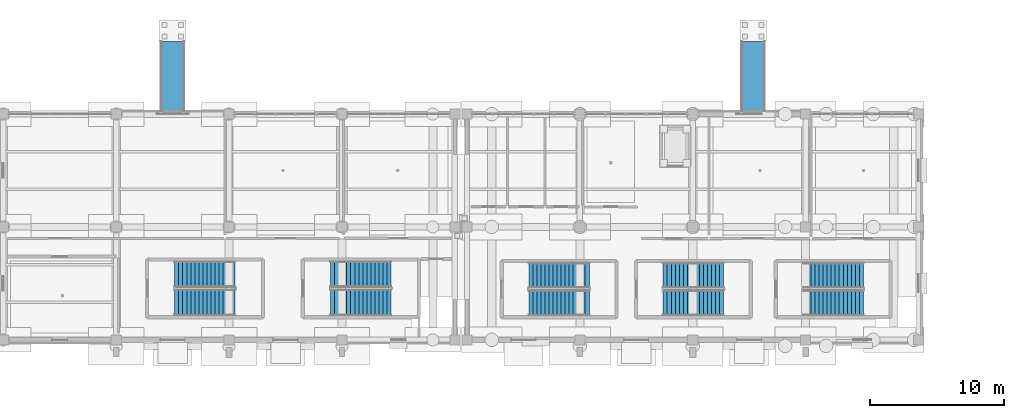
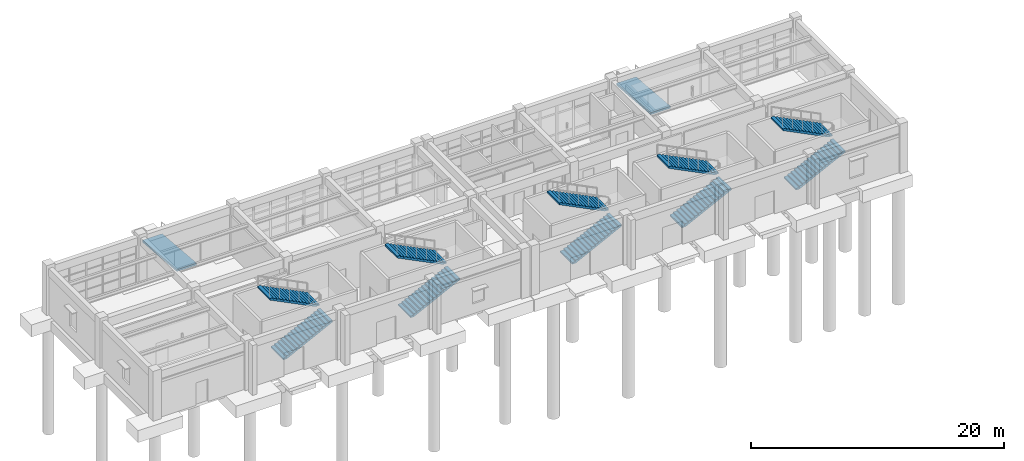
# One storey, part 20 of 29: 10 stair flights, 2 ramp flights, 7 elements without a shape of their own.
"""IFC4 building model written with IfcOpenShell, lengths in metres."""

from ifc_helpers import new_model, si_unit, direction, frame, origin, place, context, subcontext, project, spatial, polyline, outline, extrude, material, layer, layer_set, type_object, element, aggregate, save


model = new_model("IFC4")

# Units and contexts
model_context = context("Model", 3, precision=1e-05, world=origin(), true_north=direction((0.0, 1.0)))
body_context = subcontext(model_context, "Body", "Model", "MODEL_VIEW")
ifc_project = project(units=[si_unit("LENGTHUNIT", "METRE"), si_unit("AREAUNIT", "SQUARE_METRE"), si_unit("VOLUMEUNIT", "CUBIC_METRE"), si_unit("PLANEANGLEUNIT", "RADIAN"), si_unit("MASSUNIT", "GRAM", prefix="KILO")], contexts=[model_context])

# Site, building, storey
site_placement = place(None, origin())
site = spatial("IfcSite", under=ifc_project, at=site_placement, CompositionType="ELEMENT")
building_placement = place(site_placement, origin())
building = spatial("IfcBuilding", under=site, at=building_placement, Name="Canglan Escarpment Cableway Terminal", CompositionType="ELEMENT")
storey_placement = place(building_placement, origin())
storey = spatial("IfcBuildingStorey", under=building, at=storey_placement, Name="L00", CompositionType="ELEMENT", Elevation=0.0)

# Stair, stair flights
ifc_material_1 = material(Name="Concrete C40", Category="concrete")
stair_type_1 = type_object("IfcStairType", Name="STR-DOGLEG-1900", PredefinedType="HALF_TURN_STAIR", material=ifc_material_1)
stair_1_placement = place(storey_placement, origin())
stair_1 = element("IfcStair", 1, at=stair_1_placement, inside=storey, type_object=stair_type_1, Name="L00 Protected Exit Stair ST-03", PredefinedType="HALF_TURN_STAIR")
ifc_layer_1 = layer(ifc_material_1, 0.14990234375, Name="Concrete C40")
ifc_layer_set_1 = layer_set([ifc_layer_1], Name="Concrete C40")
stair_flight_type_1 = type_object("IfcStairFlightType", Name="SFL-STRAIGHT-1900", PredefinedType="STRAIGHT", material=ifc_layer_set_1)
stair_flight_1_placement = place(storey_placement, frame((47.10009765625, 10.75, 0.0), z_axis=(0.0, 0.0, 1.0), x_axis=(1.0, 0.0, 0.0)))
stair_flight_1 = element("IfcStairFlight", 2, at=stair_flight_1_placement, type_object=stair_flight_type_1, Name="ST-03 flight 1", NumberOfRisers=16, NumberOfTreads=15, PredefinedType="STRAIGHT", RiserHeight=0.15, TreadLength=0.3, context=body_context, shape_type="SweptSolid", body=[
    extrude(outline(polyline([(0.0, 0.0), (0.0, 0.14990234375), (0.300048828125, 0.14990234375), (0.300048828125, 0.300048828125), (0.60009765625, 0.300048828125), (0.60009765625, 0.449951171875), (0.89990234375, 0.449951171875), (0.89990234375, 0.60009765625), (1.199951171875, 0.60009765625), (1.199951171875, 0.75), (1.5, 0.75), (1.5, 0.89990234375), (1.800048828125, 0.89990234375), (1.800048828125, 1.050048828125), (2.10009765625, 1.050048828125), (2.10009765625, 1.199951171875), (2.39990234375, 1.199951171875), (2.39990234375, 1.35009765625), (2.699951171875, 1.35009765625), (2.699951171875, 1.5), (3.0, 1.5), (3.0, 1.64990234375), (3.300048828125, 1.64990234375), (3.300048828125, 1.800048828125), (3.60009765625, 1.800048828125), (3.60009765625, 1.949951171875), (3.89990234375, 1.949951171875), (3.89990234375, 2.10009765625), (4.199951171875, 2.10009765625), (4.199951171875, 2.25), (4.5, 2.25), (4.5, 2.39990234375), (4.5, 2.08251953125), (0.335205078125, 0.0), (0.0, 0.0)])), frame((0.0, 0.949951171875, 0.0), z_axis=(0.0, -1.0, 0.0), x_axis=(1.0, 0.0, 0.0)), (0.0, 0.0, 1.0), 1.89990234375),
])
stair_flight_2_placement = place(storey_placement, frame((51.60009765625, 12.800048828125, 2.39990234375), z_axis=(0.0, 0.0, 1.0), x_axis=(-1.0, 0.0, 0.0)))
stair_flight_2 = element("IfcStairFlight", 3, at=stair_flight_2_placement, type_object=stair_flight_type_1, Name="ST-03 flight 2", NumberOfRisers=16, NumberOfTreads=15, PredefinedType="STRAIGHT", RiserHeight=0.15, TreadLength=0.3, context=body_context, shape_type="SweptSolid", body=[
    extrude(outline(polyline([(0.0, 0.0), (0.0, 0.14990234375), (0.300048828125, 0.14990234375), (0.300048828125, 0.300048828125), (0.60009765625, 0.300048828125), (0.60009765625, 0.449951171875), (0.89990234375, 0.449951171875), (0.89990234375, 0.60009765625), (1.199951171875, 0.60009765625), (1.199951171875, 0.75), (1.5, 0.75), (1.5, 0.89990234375), (1.800048828125, 0.89990234375), (1.800048828125, 1.050048828125), (2.10009765625, 1.050048828125), (2.10009765625, 1.199951171875), (2.39990234375, 1.199951171875), (2.39990234375, 1.35009765625), (2.699951171875, 1.35009765625), (2.699951171875, 1.5), (3.0, 1.5), (3.0, 1.64990234375), (3.300048828125, 1.64990234375), (3.300048828125, 1.800048828125), (3.60009765625, 1.800048828125), (3.60009765625, 1.949951171875), (3.89990234375, 1.949951171875), (3.89990234375, 2.10009765625), (4.199951171875, 2.10009765625), (4.199951171875, 2.25), (4.5, 2.25), (4.5, 2.39990234375), (4.5, 2.08251953125), (0.335205078125, 0.0), (0.0, 0.0)])), frame((0.0, 0.949951171875, 0.0), z_axis=(0.0, -1.0, 0.0), x_axis=(1.0, 0.0, 0.0)), (0.0, 0.0, 1.0), 1.89990234375),
])
aggregate(stair_1, [stair_flight_1, stair_flight_2])

stair_2_placement = place(storey_placement, origin())
stair_2 = element("IfcStair", 4, at=stair_2_placement, inside=storey, type_object=stair_type_1, Name="L00 Protected Exit Stair ST-04", PredefinedType="HALF_TURN_STAIR")
stair_flight_3_placement = place(storey_placement, frame((57.10009765625, 10.75, 0.0), z_axis=(0.0, 0.0, 1.0), x_axis=(1.0, 0.0, 0.0)))
stair_flight_3 = element("IfcStairFlight", 5, at=stair_flight_3_placement, type_object=stair_flight_type_1, Name="ST-04 flight 1", NumberOfRisers=16, NumberOfTreads=15, PredefinedType="STRAIGHT", RiserHeight=0.15, TreadLength=0.3, context=body_context, shape_type="SweptSolid", body=[
    extrude(outline(polyline([(0.0, 0.0), (0.0, 0.14990234375), (0.300048828125, 0.14990234375), (0.300048828125, 0.300048828125), (0.60009765625, 0.300048828125), (0.60009765625, 0.449951171875), (0.89990234375, 0.449951171875), (0.89990234375, 0.60009765625), (1.199951171875, 0.60009765625), (1.199951171875, 0.75), (1.5, 0.75), (1.5, 0.89990234375), (1.800048828125, 0.89990234375), (1.800048828125, 1.050048828125), (2.10009765625, 1.050048828125), (2.10009765625, 1.199951171875), (2.39990234375, 1.199951171875), (2.39990234375, 1.35009765625), (2.699951171875, 1.35009765625), (2.699951171875, 1.5), (3.0, 1.5), (3.0, 1.64990234375), (3.300048828125, 1.64990234375), (3.300048828125, 1.800048828125), (3.60009765625, 1.800048828125), (3.60009765625, 1.949951171875), (3.89990234375, 1.949951171875), (3.89990234375, 2.10009765625), (4.199951171875, 2.10009765625), (4.199951171875, 2.25), (4.5, 2.25), (4.5, 2.39990234375), (4.5, 2.08251953125), (0.335205078125, 0.0), (0.0, 0.0)])), frame((0.0, 0.949951171875, 0.0), z_axis=(0.0, -1.0, 0.0), x_axis=(1.0, 0.0, 0.0)), (0.0, 0.0, 1.0), 1.89990234375),
])
stair_flight_4_placement = place(storey_placement, frame((61.60009765625, 12.800048828125, 2.39990234375), z_axis=(0.0, 0.0, 1.0), x_axis=(-1.0, 0.0, 0.0)))
stair_flight_4 = element("IfcStairFlight", 6, at=stair_flight_4_placement, type_object=stair_flight_type_1, Name="ST-04 flight 2", NumberOfRisers=16, NumberOfTreads=15, PredefinedType="STRAIGHT", RiserHeight=0.15, TreadLength=0.3, context=body_context, shape_type="SweptSolid", body=[
    extrude(outline(polyline([(0.0, 0.0), (0.0, 0.14990234375), (0.300048828125, 0.14990234375), (0.300048828125, 0.300048828125), (0.60009765625, 0.300048828125), (0.60009765625, 0.449951171875), (0.89990234375, 0.449951171875), (0.89990234375, 0.60009765625), (1.199951171875, 0.60009765625), (1.199951171875, 0.75), (1.5, 0.75), (1.5, 0.89990234375), (1.800048828125, 0.89990234375), (1.800048828125, 1.050048828125), (2.10009765625, 1.050048828125), (2.10009765625, 1.199951171875), (2.39990234375, 1.199951171875), (2.39990234375, 1.35009765625), (2.699951171875, 1.35009765625), (2.699951171875, 1.5), (3.0, 1.5), (3.0, 1.64990234375), (3.300048828125, 1.64990234375), (3.300048828125, 1.800048828125), (3.60009765625, 1.800048828125), (3.60009765625, 1.949951171875), (3.89990234375, 1.949951171875), (3.89990234375, 2.10009765625), (4.199951171875, 2.10009765625), (4.199951171875, 2.25), (4.5, 2.25), (4.5, 2.39990234375), (4.5, 2.08251953125), (0.335205078125, 0.0), (0.0, 0.0)])), frame((0.0, 0.949951171875, 0.0), z_axis=(0.0, -1.0, 0.0), x_axis=(1.0, 0.0, 0.0)), (0.0, 0.0, 1.0), 1.89990234375),
])
aggregate(stair_2, [stair_flight_3, stair_flight_4])

stair_3_placement = place(storey_placement, origin())
stair_3 = element("IfcStair", 7, at=stair_3_placement, inside=storey, type_object=stair_type_1, Name="L00 Protected Exit Stair ST-05", PredefinedType="HALF_TURN_STAIR")
stair_flight_5_placement = place(storey_placement, frame((67.5, 10.75, 0.0), z_axis=(0.0, 0.0, 1.0), x_axis=(1.0, 0.0, 0.0)))
stair_flight_5 = element("IfcStairFlight", 8, at=stair_flight_5_placement, type_object=stair_flight_type_1, Name="ST-05 flight 1", NumberOfRisers=16, NumberOfTreads=15, PredefinedType="STRAIGHT", RiserHeight=0.15, TreadLength=0.3, context=body_context, shape_type="SweptSolid", body=[
    extrude(outline(polyline([(0.0, 0.0), (0.0, 0.14990234375), (0.300048828125, 0.14990234375), (0.300048828125, 0.300048828125), (0.60009765625, 0.300048828125), (0.60009765625, 0.449951171875), (0.89990234375, 0.449951171875), (0.89990234375, 0.60009765625), (1.199951171875, 0.60009765625), (1.199951171875, 0.75), (1.5, 0.75), (1.5, 0.89990234375), (1.800048828125, 0.89990234375), (1.800048828125, 1.050048828125), (2.10009765625, 1.050048828125), (2.10009765625, 1.199951171875), (2.39990234375, 1.199951171875), (2.39990234375, 1.35009765625), (2.699951171875, 1.35009765625), (2.699951171875, 1.5), (3.0, 1.5), (3.0, 1.64990234375), (3.300048828125, 1.64990234375), (3.300048828125, 1.800048828125), (3.60009765625, 1.800048828125), (3.60009765625, 1.949951171875), (3.89990234375, 1.949951171875), (3.89990234375, 2.10009765625), (4.199951171875, 2.10009765625), (4.199951171875, 2.25), (4.5, 2.25), (4.5, 2.39990234375), (4.5, 2.08251953125), (0.335205078125, 0.0), (0.0, 0.0)])), frame((0.0, 0.949951171875, 0.0), z_axis=(0.0, -1.0, 0.0), x_axis=(1.0, 0.0, 0.0)), (0.0, 0.0, 1.0), 1.89990234375),
])
stair_flight_6_placement = place(storey_placement, frame((72.0, 12.800048828125, 2.39990234375), z_axis=(0.0, 0.0, 1.0), x_axis=(-1.0, 0.0, 0.0)))
stair_flight_6 = element("IfcStairFlight", 9, at=stair_flight_6_placement, type_object=stair_flight_type_1, Name="ST-05 flight 2", NumberOfRisers=16, NumberOfTreads=15, PredefinedType="STRAIGHT", RiserHeight=0.15, TreadLength=0.3, context=body_context, shape_type="SweptSolid", body=[
    extrude(outline(polyline([(0.0, 0.0), (0.0, 0.14990234375), (0.300048828125, 0.14990234375), (0.300048828125, 0.300048828125), (0.60009765625, 0.300048828125), (0.60009765625, 0.449951171875), (0.89990234375, 0.449951171875), (0.89990234375, 0.60009765625), (1.199951171875, 0.60009765625), (1.199951171875, 0.75), (1.5, 0.75), (1.5, 0.89990234375), (1.800048828125, 0.89990234375), (1.800048828125, 1.050048828125), (2.10009765625, 1.050048828125), (2.10009765625, 1.199951171875), (2.39990234375, 1.199951171875), (2.39990234375, 1.35009765625), (2.699951171875, 1.35009765625), (2.699951171875, 1.5), (3.0, 1.5), (3.0, 1.64990234375), (3.300048828125, 1.64990234375), (3.300048828125, 1.800048828125), (3.60009765625, 1.800048828125), (3.60009765625, 1.949951171875), (3.89990234375, 1.949951171875), (3.89990234375, 2.10009765625), (4.199951171875, 2.10009765625), (4.199951171875, 2.25), (4.5, 2.25), (4.5, 2.39990234375), (4.5, 2.08251953125), (0.335205078125, 0.0), (0.0, 0.0)])), frame((0.0, 0.949951171875, 0.0), z_axis=(0.0, -1.0, 0.0), x_axis=(1.0, 0.0, 0.0)), (0.0, 0.0, 1.0), 1.89990234375),
])
aggregate(stair_3, [stair_flight_5, stair_flight_6])

stair_type_2 = type_object("IfcStairType", Name="STR-DOGLEG-1950", PredefinedType="HALF_TURN_STAIR", material=ifc_material_1)
stair_4_placement = place(storey_placement, origin())
stair_4 = element("IfcStair", 10, at=stair_4_placement, inside=storey, type_object=stair_type_2, Name="L00 Protected Exit Stair ST-01", PredefinedType="HALF_TURN_STAIR")
ifc_layer_2 = layer(ifc_material_1, 0.14990234375, Name="Concrete C40")
ifc_layer_set_2 = layer_set([ifc_layer_2], Name="Concrete C40")
stair_flight_type_2 = type_object("IfcStairFlightType", Name="SFL-STRAIGHT-1950", PredefinedType="STRAIGHT", material=ifc_layer_set_2)
stair_flight_7_placement = place(storey_placement, frame((20.75, 10.77490234375, 0.0), z_axis=(0.0, 0.0, 1.0), x_axis=(1.0, 0.0, 0.0)))
stair_flight_7 = element("IfcStairFlight", 11, at=stair_flight_7_placement, type_object=stair_flight_type_2, Name="ST-01 flight 1", NumberOfRisers=16, NumberOfTreads=15, PredefinedType="STRAIGHT", RiserHeight=0.15, TreadLength=0.3, context=body_context, shape_type="SweptSolid", body=[
    extrude(outline(polyline([(0.0, 0.0), (0.0, 0.14990234375), (0.300048828125, 0.14990234375), (0.300048828125, 0.300048828125), (0.60009765625, 0.300048828125), (0.60009765625, 0.449951171875), (0.89990234375, 0.449951171875), (0.89990234375, 0.60009765625), (1.199951171875, 0.60009765625), (1.199951171875, 0.75), (1.5, 0.75), (1.5, 0.89990234375), (1.800048828125, 0.89990234375), (1.800048828125, 1.050048828125), (2.10009765625, 1.050048828125), (2.10009765625, 1.199951171875), (2.39990234375, 1.199951171875), (2.39990234375, 1.35009765625), (2.699951171875, 1.35009765625), (2.699951171875, 1.5), (3.0, 1.5), (3.0, 1.64990234375), (3.300048828125, 1.64990234375), (3.300048828125, 1.800048828125), (3.60009765625, 1.800048828125), (3.60009765625, 1.949951171875), (3.89990234375, 1.949951171875), (3.89990234375, 2.10009765625), (4.199951171875, 2.10009765625), (4.199951171875, 2.25), (4.5, 2.25), (4.5, 2.39990234375), (4.5, 2.08251953125), (0.335205078125, 0.0), (0.0, 0.0)])), frame((0.0, 0.97509765625, 0.0), z_axis=(0.0, -1.0, 0.0), x_axis=(1.0, 0.0, 0.0)), (0.0, 0.0, 1.0), 1.949951171875),
])
stair_flight_8_placement = place(storey_placement, frame((25.25, 12.875, 2.39990234375), z_axis=(0.0, 0.0, 1.0), x_axis=(-1.0, 0.0, 0.0)))
stair_flight_8 = element("IfcStairFlight", 12, at=stair_flight_8_placement, type_object=stair_flight_type_2, Name="ST-01 flight 2", NumberOfRisers=16, NumberOfTreads=15, PredefinedType="STRAIGHT", RiserHeight=0.15, TreadLength=0.3, context=body_context, shape_type="SweptSolid", body=[
    extrude(outline(polyline([(0.0, 0.0), (0.0, 0.14990234375), (0.300048828125, 0.14990234375), (0.300048828125, 0.300048828125), (0.60009765625, 0.300048828125), (0.60009765625, 0.449951171875), (0.89990234375, 0.449951171875), (0.89990234375, 0.60009765625), (1.199951171875, 0.60009765625), (1.199951171875, 0.75), (1.5, 0.75), (1.5, 0.89990234375), (1.800048828125, 0.89990234375), (1.800048828125, 1.050048828125), (2.10009765625, 1.050048828125), (2.10009765625, 1.199951171875), (2.39990234375, 1.199951171875), (2.39990234375, 1.35009765625), (2.699951171875, 1.35009765625), (2.699951171875, 1.5), (3.0, 1.5), (3.0, 1.64990234375), (3.300048828125, 1.64990234375), (3.300048828125, 1.800048828125), (3.60009765625, 1.800048828125), (3.60009765625, 1.949951171875), (3.89990234375, 1.949951171875), (3.89990234375, 2.10009765625), (4.199951171875, 2.10009765625), (4.199951171875, 2.25), (4.5, 2.25), (4.5, 2.39990234375), (4.5, 2.08251953125), (0.335205078125, 0.0), (0.0, 0.0)])), frame((0.0, 0.97509765625, 0.0), z_axis=(0.0, -1.0, 0.0), x_axis=(1.0, 0.0, 0.0)), (0.0, 0.0, 1.0), 1.949951171875),
])
aggregate(stair_4, [stair_flight_7, stair_flight_8])

stair_5_placement = place(storey_placement, origin())
stair_5 = element("IfcStair", 13, at=stair_5_placement, inside=storey, type_object=stair_type_2, Name="L00 Protected Exit Stair ST-02", PredefinedType="HALF_TURN_STAIR")
stair_flight_9_placement = place(storey_placement, frame((32.35009765625, 10.77490234375, 0.0), z_axis=(0.0, 0.0, 1.0), x_axis=(1.0, 0.0, 0.0)))
stair_flight_9 = element("IfcStairFlight", 14, at=stair_flight_9_placement, type_object=stair_flight_type_2, Name="ST-02 flight 1", NumberOfRisers=16, NumberOfTreads=15, PredefinedType="STRAIGHT", RiserHeight=0.15, TreadLength=0.3, context=body_context, shape_type="SweptSolid", body=[
    extrude(outline(polyline([(0.0, 0.0), (0.0, 0.14990234375), (0.300048828125, 0.14990234375), (0.300048828125, 0.300048828125), (0.60009765625, 0.300048828125), (0.60009765625, 0.449951171875), (0.89990234375, 0.449951171875), (0.89990234375, 0.60009765625), (1.199951171875, 0.60009765625), (1.199951171875, 0.75), (1.5, 0.75), (1.5, 0.89990234375), (1.800048828125, 0.89990234375), (1.800048828125, 1.050048828125), (2.10009765625, 1.050048828125), (2.10009765625, 1.199951171875), (2.39990234375, 1.199951171875), (2.39990234375, 1.35009765625), (2.699951171875, 1.35009765625), (2.699951171875, 1.5), (3.0, 1.5), (3.0, 1.64990234375), (3.300048828125, 1.64990234375), (3.300048828125, 1.800048828125), (3.60009765625, 1.800048828125), (3.60009765625, 1.949951171875), (3.89990234375, 1.949951171875), (3.89990234375, 2.10009765625), (4.199951171875, 2.10009765625), (4.199951171875, 2.25), (4.5, 2.25), (4.5, 2.39990234375), (4.5, 2.08251953125), (0.335205078125, 0.0), (0.0, 0.0)])), frame((0.0, 0.97509765625, 0.0), z_axis=(0.0, -1.0, 0.0), x_axis=(1.0, 0.0, 0.0)), (0.0, 0.0, 1.0), 1.949951171875),
])
stair_flight_10_placement = place(storey_placement, frame((36.85009765625, 12.875, 2.39990234375), z_axis=(0.0, 0.0, 1.0), x_axis=(-1.0, 0.0, 0.0)))
stair_flight_10 = element("IfcStairFlight", 15, at=stair_flight_10_placement, type_object=stair_flight_type_2, Name="ST-02 flight 2", NumberOfRisers=16, NumberOfTreads=15, PredefinedType="STRAIGHT", RiserHeight=0.15, TreadLength=0.3, context=body_context, shape_type="SweptSolid", body=[
    extrude(outline(polyline([(0.0, 0.0), (0.0, 0.14990234375), (0.300048828125, 0.14990234375), (0.300048828125, 0.300048828125), (0.60009765625, 0.300048828125), (0.60009765625, 0.449951171875), (0.89990234375, 0.449951171875), (0.89990234375, 0.60009765625), (1.199951171875, 0.60009765625), (1.199951171875, 0.75), (1.5, 0.75), (1.5, 0.89990234375), (1.800048828125, 0.89990234375), (1.800048828125, 1.050048828125), (2.10009765625, 1.050048828125), (2.10009765625, 1.199951171875), (2.39990234375, 1.199951171875), (2.39990234375, 1.35009765625), (2.699951171875, 1.35009765625), (2.699951171875, 1.5), (3.0, 1.5), (3.0, 1.64990234375), (3.300048828125, 1.64990234375), (3.300048828125, 1.800048828125), (3.60009765625, 1.800048828125), (3.60009765625, 1.949951171875), (3.89990234375, 1.949951171875), (3.89990234375, 2.10009765625), (4.199951171875, 2.10009765625), (4.199951171875, 2.25), (4.5, 2.25), (4.5, 2.39990234375), (4.5, 2.08251953125), (0.335205078125, 0.0), (0.0, 0.0)])), frame((0.0, 0.97509765625, 0.0), z_axis=(0.0, -1.0, 0.0), x_axis=(1.0, 0.0, 0.0)), (0.0, 0.0, 1.0), 1.949951171875),
])
aggregate(stair_5, [stair_flight_9, stair_flight_10])

# Ramp, ramp flight
ramp_type = type_object("IfcRampType", Name="RMP-ACC-1800", PredefinedType="STRAIGHT_RUN_RAMP", material=ifc_material_1)
ramp_1_placement = place(storey_placement, origin())
ramp_1 = element("IfcRamp", 16, at=ramp_1_placement, inside=storey, type_object=ramp_type, Name="Accessible Forecourt Entrance Ramp 1", PredefinedType="STRAIGHT_RUN_RAMP")
ifc_material_2 = material(Name="Bush-hammered non-slip granite on Concrete C40", Category="masonry")
ifc_layer_3 = layer(ifc_material_2, 0.199951171875, Name="Bush-hammered non-slip granite on Concrete C40")
ifc_layer_set_3 = layer_set([ifc_layer_3], Name="Bush-hammered non-slip granite on Concrete C40")
ramp_flight_type = type_object("IfcRampFlightType", Name="RMP-FLT-1800", PredefinedType="STRAIGHT", material=ifc_layer_set_3)
ramp_flight_1_placement = place(storey_placement, frame((20.60009765625, 30.199951171875, -0.449951171875), z_axis=(0.0, 0.0, 1.0), x_axis=(0.0, -1.0, 0.0)))
ramp_flight_1 = element("IfcRampFlight", 17, at=ramp_flight_1_placement, type_object=ramp_flight_type, Name="Accessible Forecourt Entrance Ramp 1 flight", PredefinedType="STRAIGHT", context=body_context, shape_type="SweptSolid", body=[
    extrude(outline(polyline([(0.0, 0.0), (0.0, -0.199951171875), (5.429931640625, 0.25), (5.429931640625, 0.449951171875), (0.0, 0.0)])), frame((0.0, 0.89990234375, 0.0), z_axis=(0.0, -1.0, 0.0), x_axis=(1.0, 0.0, 0.0)), (0.0, 0.0, 1.0), 1.800048828125),
])
aggregate(ramp_1, [ramp_flight_1])

ramp_2_placement = place(storey_placement, origin())
ramp_2 = element("IfcRamp", 18, at=ramp_2_placement, inside=storey, type_object=ramp_type, Name="Accessible Forecourt Entrance Ramp 2", PredefinedType="STRAIGHT_RUN_RAMP")
ramp_flight_2_placement = place(storey_placement, frame((63.800048828125, 30.199951171875, -0.449951171875), z_axis=(0.0, 0.0, 1.0), x_axis=(0.0, -1.0, 0.0)))
ramp_flight_2 = element("IfcRampFlight", 19, at=ramp_flight_2_placement, type_object=ramp_flight_type, Name="Accessible Forecourt Entrance Ramp 2 flight", PredefinedType="STRAIGHT", context=body_context, shape_type="SweptSolid", body=[
    extrude(outline(polyline([(0.0, 0.0), (0.0, -0.199951171875), (5.429931640625, 0.25), (5.429931640625, 0.449951171875), (0.0, 0.0)])), frame((0.0, 0.89990234375, 0.0), z_axis=(0.0, -1.0, 0.0), x_axis=(1.0, 0.0, 0.0)), (0.0, 0.0, 1.0), 1.800048828125),
])
aggregate(ramp_2, [ramp_flight_2])

save(model, "model.ifc")
